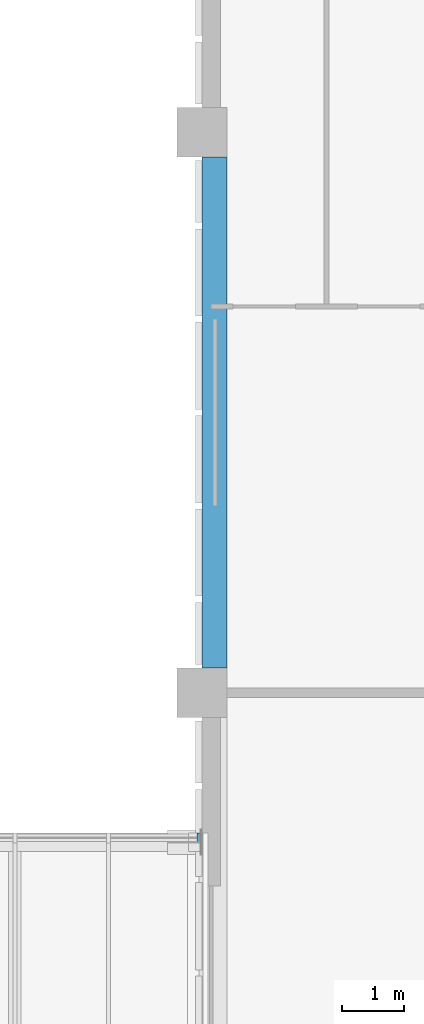
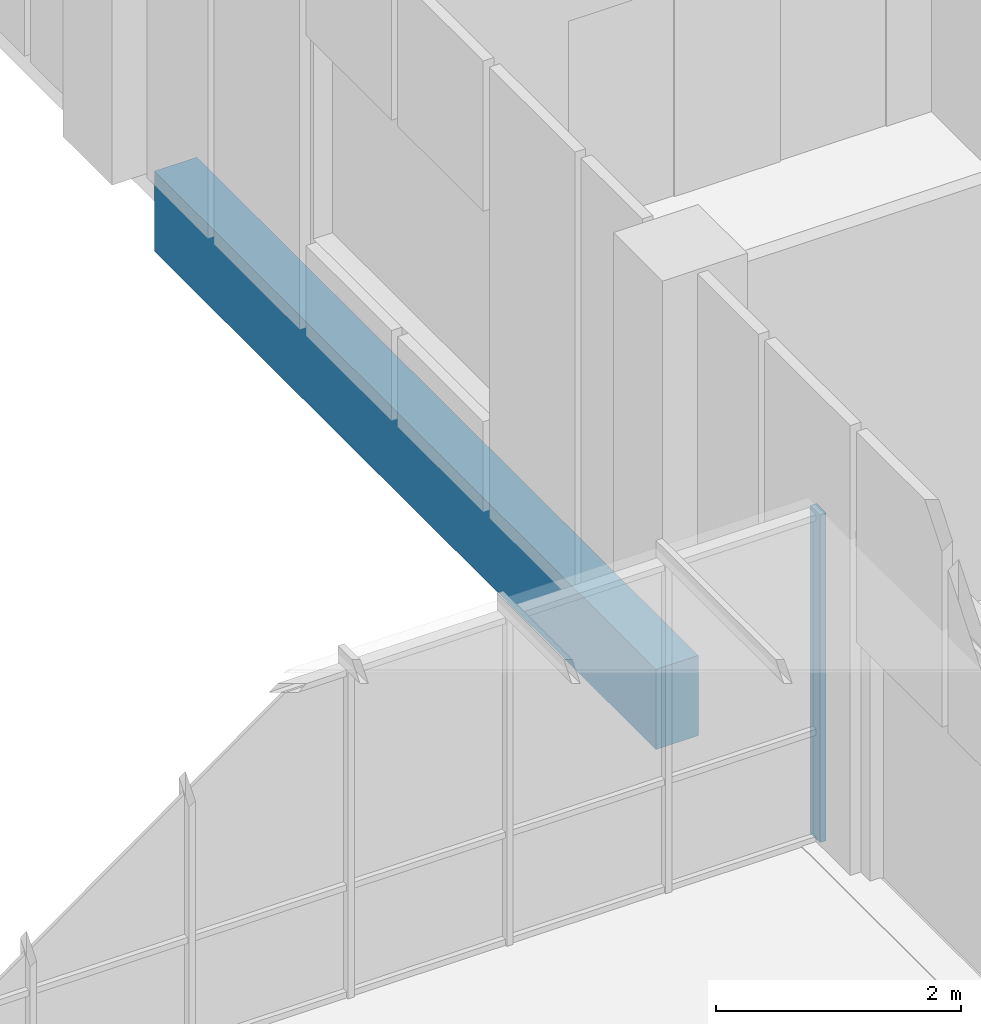
# One storey, part 26 of 88: 1 beam, 1 member, 1 element without a shape of its own.
"""IFC4 building model written with IfcOpenShell, lengths in metres."""

from ifc_helpers import new_model, si_unit, direction, frame, origin, origin_2d, place, context, subcontext, project, spatial, rectangle, extrude, material, layer, layer_set, material_profile, profile_set, type_object, element, aggregate, save


model = new_model("IFC4")

# Units and contexts
model_context = context("Model", 3, precision=1e-05, world=origin(), true_north=direction((0.0, 1.0)))
body_context = subcontext(model_context, "Body", "Model", "MODEL_VIEW")
ifc_project = project(units=[si_unit("LENGTHUNIT", "METRE"), si_unit("AREAUNIT", "SQUARE_METRE"), si_unit("VOLUMEUNIT", "CUBIC_METRE"), si_unit("PLANEANGLEUNIT", "RADIAN"), si_unit("MASSUNIT", "GRAM", prefix="KILO")], contexts=[model_context])

# Site, building, storey
site_placement = place(None, origin())
site = spatial("IfcSite", under=ifc_project, at=site_placement, CompositionType="ELEMENT")
building_placement = place(site_placement, origin())
building = spatial("IfcBuilding", under=site, at=building_placement, Name="Guidao Yard Department Store", CompositionType="ELEMENT")
storey_placement = place(building_placement, frame((0.0, 0.0, 6.0)))
storey = spatial("IfcBuildingStorey", under=building, at=storey_placement, Name="L01", CompositionType="ELEMENT", Elevation=6.0)

# Curtain wall, member
ifc_material_1 = material(Name="Aluminium and glass", Category="aluminium")
ifc_layer = layer(ifc_material_1, 0.159912109375)
ifc_layer_set = layer_set([ifc_layer], Name="Bridge glazing CW5 1500 module")
curtain_wall_type = type_object("IfcCurtainWallType", Name="Bridge glazing CW5 1500 module", PredefinedType="NOTDEFINED", material=ifc_layer_set)
curtain_wall_placement = place(storey_placement, origin())
curtain_wall = element("IfcCurtainWall", 1, at=curtain_wall_placement, inside=storey, type_object=curtain_wall_type, Name="Bridge glazing BR07 N", PredefinedType="NOTDEFINED")
ifc_material_2 = material(Name="Aluminium 6063-T5", Category="aluminium")
ifc_material_profile_1 = material_profile(ifc_material_2, rectangle(XDim=0.06005859375, YDim=0.159912109375, at=origin_2d()), Name="Mullion M1 60 x 160 aluminium pressure plate")
ifc_profile_set_1 = profile_set([ifc_material_profile_1], Name="Aluminium 6063-T5")
member_type = type_object("IfcMemberType", Name="Mullion M1 60 x 160 aluminium pressure plate", PredefinedType="MULLION", material=ifc_profile_set_1)
member_placement = place(storey_placement, frame((116.955078125, 87.669921875, 0.0), z_axis=(0.0, 0.0, 1.0), x_axis=(1.0, 0.0, 0.0)))
member = element("IfcMember", 2, at=member_placement, type_object=member_type, Name="CW-N-L01-08 mullion 7", PredefinedType="MULLION", context=body_context, shape_type="SweptSolid", body=[
    extrude(rectangle(XDim=0.06005859375, YDim=0.159912109375, at=origin_2d()), origin(), (0.0, 0.0, 1.0), 3.27001953125),
])
aggregate(curtain_wall, [member])

# Beam
ifc_material_3 = material(Name="Concrete C40", Category="concrete")
ifc_material_profile_2 = material_profile(ifc_material_3, rectangle(XDim=0.39990234375, YDim=0.800048828125, at=origin_2d()), Name="Spandrel beam 400 x 800 C40")
ifc_profile_set_2 = profile_set([ifc_material_profile_2], Name="Concrete C40")
beam_type = type_object("IfcBeamType", Name="Spandrel beam 400 x 800 C40", PredefinedType="SPANDREL", material=ifc_profile_set_2)
beam_placement = place(storey_placement, frame((117.199951171875, 90.39990234375, -0.39990234375), z_axis=(0.0, 1.0, 0.0), x_axis=(-1.0, 0.0, 0.0)))
element("IfcBeam", 3, at=beam_placement, inside=storey, type_object=beam_type, Name="Beam EB74", PredefinedType="SPANDREL", context=body_context, shape_type="SweptSolid", body=[
    extrude(rectangle(XDim=0.39990234375, YDim=0.800048828125, at=origin_2d()), origin(), (0.0, 0.0, 1.0), 8.2001953125),
])

save(model, "model.ifc")
